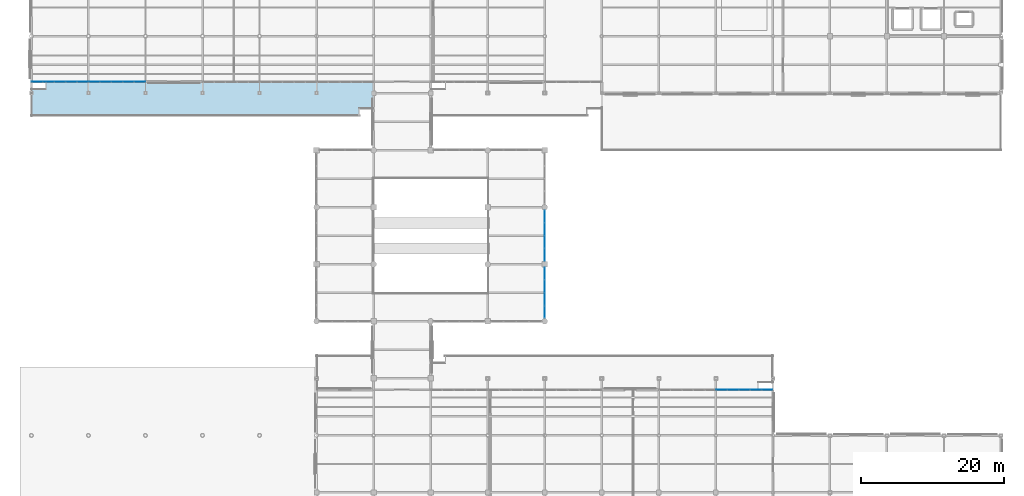
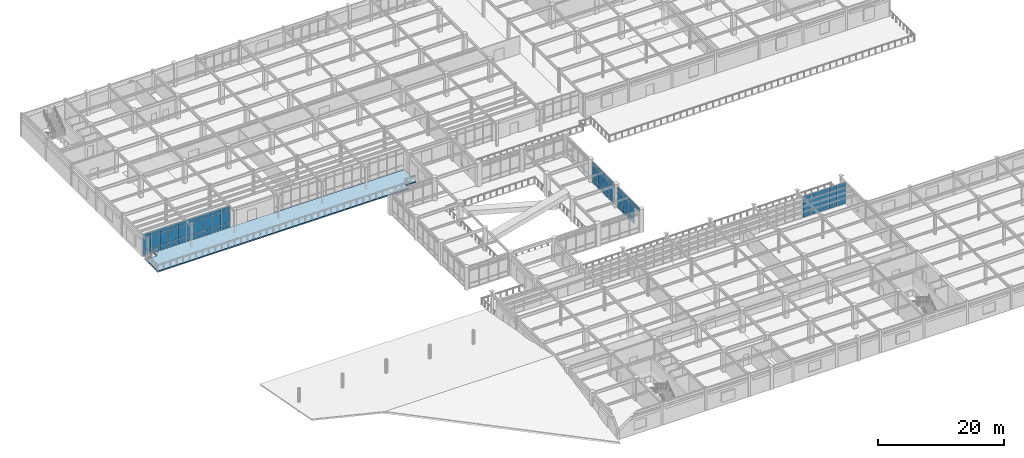
# One storey, part 76 of 111: 67 plates, 1 slab, 5 elements without a shape of their own.
"""IFC4 building model written with IfcOpenShell, lengths in metres."""

from ifc_helpers import new_model, si_unit, direction, frame, origin, origin_2d, place, context, subcontext, project, spatial, polyline, rectangle, outline, extrude, material, layer, layer_set, type_object, element, aggregate, save


model = new_model("IFC4")

# Units and contexts
model_context = context("Model", 3, precision=1e-05, world=origin(), true_north=direction((0.0, 1.0)))
body_context = subcontext(model_context, "Body", "Model", "MODEL_VIEW")
ifc_project = project(units=[si_unit("LENGTHUNIT", "METRE"), si_unit("AREAUNIT", "SQUARE_METRE"), si_unit("VOLUMEUNIT", "CUBIC_METRE"), si_unit("PLANEANGLEUNIT", "RADIAN"), si_unit("MASSUNIT", "GRAM", prefix="KILO")], contexts=[model_context])

# Site, building, storey
site_placement = place(None, origin())
site = spatial("IfcSite", under=ifc_project, at=site_placement, CompositionType="ELEMENT")
building_placement = place(site_placement, origin())
building = spatial("IfcBuilding", under=site, at=building_placement, Name="Solmirada Galleria", CompositionType="ELEMENT")
storey_placement = place(building_placement, frame((0.0, 0.0, 10.39990234375)))
storey = spatial("IfcBuildingStorey", under=building, at=storey_placement, Name="L02", CompositionType="ELEMENT", Elevation=10.39990234375)

# Curtain wall, plates
ifc_material_1 = material(Name="Impact-resistant low-E double glazing", Category="glass")
curtain_wall_type_1 = type_object("IfcCurtainWallType", Name="CW-FZ3-L02-B4-L072", PredefinedType="NOTDEFINED", material=ifc_material_1)
curtain_wall_1_placement = place(storey_placement, origin())
curtain_wall_1 = element("IfcCurtainWall", 1, at=curtain_wall_1_placement, inside=storey, type_object=curtain_wall_type_1, Name="Terrace and arcade storefront CW-L02-107", PredefinedType="NOTDEFINED")
ifc_layer_1 = layer(ifc_material_1, 0.028076171875)
ifc_layer_set_1 = layer_set([ifc_layer_1], Name="Impact-resistant low-E double glazing")
plate_type_1 = type_object("IfcPlateType", Name="CW-PNL-CW21-T28", PredefinedType="CURTAIN_PANEL", material=ifc_layer_set_1)
plate_1_placement = place(storey_placement, frame((112.0, 62.68212890625, 0.06494140625), z_axis=(0.0, 0.0, 1.0), x_axis=(0.0, -1.0, 0.0)))
plate_1 = element("IfcPlate", 2, at=plate_1_placement, type_object=plate_type_1, Name="CW21 panel 1.1", PredefinedType="CURTAIN_PANEL", context=body_context, shape_type="SweptSolid", body=[
    extrude(rectangle(XDim=1.701416015625, YDim=0.028076171875, at=origin_2d()), origin(), (0.0, 0.0, 1.0), 0.822509765625),
])
plate_2_placement = place(storey_placement, frame((112.0, 62.68212890625, 0.95263671875), z_axis=(0.0, 0.0, 1.0), x_axis=(0.0, -1.0, 0.0)))
plate_2 = element("IfcPlate", 3, at=plate_2_placement, type_object=plate_type_1, Name="CW21 panel 1.2", PredefinedType="CURTAIN_PANEL", context=body_context, shape_type="SweptSolid", body=[
    extrude(rectangle(XDim=1.701416015625, YDim=0.028076171875, at=origin_2d()), origin(), (0.0, 0.0, 1.0), 2.4150390625),
])
plate_3_placement = place(storey_placement, frame((112.0, 62.68212890625, 3.4326171875), z_axis=(0.0, 0.0, 1.0), x_axis=(0.0, -1.0, 0.0)))
plate_3 = element("IfcPlate", 4, at=plate_3_placement, type_object=plate_type_1, Name="CW21 panel 1.3", PredefinedType="CURTAIN_PANEL", context=body_context, shape_type="SweptSolid", body=[
    extrude(rectangle(XDim=1.701416015625, YDim=0.028076171875, at=origin_2d()), origin(), (0.0, 0.0, 1.0), 0.722412109375),
])
plate_4_placement = place(storey_placement, frame((112.0, 60.8994140625, 0.06494140625), z_axis=(0.0, 0.0, 1.0), x_axis=(0.0, -1.0, 0.0)))
plate_4 = element("IfcPlate", 5, at=plate_4_placement, type_object=plate_type_1, Name="CW21 panel 2.1", PredefinedType="CURTAIN_PANEL", context=body_context, shape_type="SweptSolid", body=[
    extrude(rectangle(XDim=1.73388671875, YDim=0.028076171875, at=origin_2d()), origin(), (0.0, 0.0, 1.0), 0.822509765625),
])
plate_5_placement = place(storey_placement, frame((112.0, 60.8994140625, 0.95263671875), z_axis=(0.0, 0.0, 1.0), x_axis=(0.0, -1.0, 0.0)))
plate_5 = element("IfcPlate", 6, at=plate_5_placement, type_object=plate_type_1, Name="CW21 panel 2.2", PredefinedType="CURTAIN_PANEL", context=body_context, shape_type="SweptSolid", body=[
    extrude(rectangle(XDim=1.73388671875, YDim=0.028076171875, at=origin_2d()), origin(), (0.0, 0.0, 1.0), 2.4150390625),
])
plate_6_placement = place(storey_placement, frame((112.0, 60.8994140625, 3.4326171875), z_axis=(0.0, 0.0, 1.0), x_axis=(0.0, -1.0, 0.0)))
plate_6 = element("IfcPlate", 7, at=plate_6_placement, type_object=plate_type_1, Name="CW21 panel 2.3", PredefinedType="CURTAIN_PANEL", context=body_context, shape_type="SweptSolid", body=[
    extrude(rectangle(XDim=1.73388671875, YDim=0.028076171875, at=origin_2d()), origin(), (0.0, 0.0, 1.0), 0.722412109375),
])
plate_7_placement = place(storey_placement, frame((112.0, 59.1005859375, 0.06494140625), z_axis=(0.0, 0.0, 1.0), x_axis=(0.0, -1.0, 0.0)))
plate_7 = element("IfcPlate", 8, at=plate_7_placement, type_object=plate_type_1, Name="CW21 panel 3.1", PredefinedType="CURTAIN_PANEL", context=body_context, shape_type="SweptSolid", body=[
    extrude(rectangle(XDim=1.73388671875, YDim=0.028076171875, at=origin_2d()), origin(), (0.0, 0.0, 1.0), 0.822509765625),
])
plate_8_placement = place(storey_placement, frame((112.0, 59.1005859375, 0.95263671875), z_axis=(0.0, 0.0, 1.0), x_axis=(0.0, -1.0, 0.0)))
plate_8 = element("IfcPlate", 9, at=plate_8_placement, type_object=plate_type_1, Name="CW21 panel 3.2", PredefinedType="CURTAIN_PANEL", context=body_context, shape_type="SweptSolid", body=[
    extrude(rectangle(XDim=1.73388671875, YDim=0.028076171875, at=origin_2d()), origin(), (0.0, 0.0, 1.0), 2.4150390625),
])
plate_9_placement = place(storey_placement, frame((112.0, 59.1005859375, 3.4326171875), z_axis=(0.0, 0.0, 1.0), x_axis=(0.0, -1.0, 0.0)))
plate_9 = element("IfcPlate", 10, at=plate_9_placement, type_object=plate_type_1, Name="CW21 panel 3.3", PredefinedType="CURTAIN_PANEL", context=body_context, shape_type="SweptSolid", body=[
    extrude(rectangle(XDim=1.73388671875, YDim=0.028076171875, at=origin_2d()), origin(), (0.0, 0.0, 1.0), 0.722412109375),
])
plate_10_placement = place(storey_placement, frame((112.0, 57.31787109375, 0.06494140625), z_axis=(0.0, 0.0, 1.0), x_axis=(0.0, -1.0, 0.0)))
plate_10 = element("IfcPlate", 11, at=plate_10_placement, type_object=plate_type_1, Name="CW21 panel 4.1", PredefinedType="CURTAIN_PANEL", context=body_context, shape_type="SweptSolid", body=[
    extrude(rectangle(XDim=1.701416015625, YDim=0.028076171875, at=origin_2d()), origin(), (0.0, 0.0, 1.0), 0.822509765625),
])
plate_11_placement = place(storey_placement, frame((112.0, 57.31787109375, 0.95263671875), z_axis=(0.0, 0.0, 1.0), x_axis=(0.0, -1.0, 0.0)))
plate_11 = element("IfcPlate", 12, at=plate_11_placement, type_object=plate_type_1, Name="CW21 panel 4.2", PredefinedType="CURTAIN_PANEL", context=body_context, shape_type="SweptSolid", body=[
    extrude(rectangle(XDim=1.701416015625, YDim=0.028076171875, at=origin_2d()), origin(), (0.0, 0.0, 1.0), 2.4150390625),
])
plate_12_placement = place(storey_placement, frame((112.0, 57.31787109375, 3.4326171875), z_axis=(0.0, 0.0, 1.0), x_axis=(0.0, -1.0, 0.0)))
plate_12 = element("IfcPlate", 13, at=plate_12_placement, type_object=plate_type_1, Name="CW21 panel 4.3", PredefinedType="CURTAIN_PANEL", context=body_context, shape_type="SweptSolid", body=[
    extrude(rectangle(XDim=1.701416015625, YDim=0.028076171875, at=origin_2d()), origin(), (0.0, 0.0, 1.0), 0.722412109375),
])
aggregate(curtain_wall_1, [plate_1, plate_2, plate_3, plate_4, plate_5, plate_6, plate_7, plate_8, plate_9, plate_10, plate_11, plate_12])

curtain_wall_2_placement = place(storey_placement, origin())
curtain_wall_2 = element("IfcCurtainWall", 14, at=curtain_wall_2_placement, inside=storey, type_object=curtain_wall_type_1, Name="Terrace and arcade storefront CW-L02-108", PredefinedType="NOTDEFINED")
plate_13_placement = place(storey_placement, frame((112.0, 54.68212890625, 0.06494140625), z_axis=(0.0, 0.0, 1.0), x_axis=(0.0, -1.0, 0.0)))
plate_13 = element("IfcPlate", 15, at=plate_13_placement, type_object=plate_type_1, Name="CW21 panel 1.1", PredefinedType="CURTAIN_PANEL", context=body_context, shape_type="SweptSolid", body=[
    extrude(rectangle(XDim=1.701416015625, YDim=0.028076171875, at=origin_2d()), origin(), (0.0, 0.0, 1.0), 0.822509765625),
])
plate_14_placement = place(storey_placement, frame((112.0, 54.68212890625, 0.95263671875), z_axis=(0.0, 0.0, 1.0), x_axis=(0.0, -1.0, 0.0)))
plate_14 = element("IfcPlate", 16, at=plate_14_placement, type_object=plate_type_1, Name="CW21 panel 1.2", PredefinedType="CURTAIN_PANEL", context=body_context, shape_type="SweptSolid", body=[
    extrude(rectangle(XDim=1.701416015625, YDim=0.028076171875, at=origin_2d()), origin(), (0.0, 0.0, 1.0), 2.4150390625),
])
plate_15_placement = place(storey_placement, frame((112.0, 54.68212890625, 3.4326171875), z_axis=(0.0, 0.0, 1.0), x_axis=(0.0, -1.0, 0.0)))
plate_15 = element("IfcPlate", 17, at=plate_15_placement, type_object=plate_type_1, Name="CW21 panel 1.3", PredefinedType="CURTAIN_PANEL", context=body_context, shape_type="SweptSolid", body=[
    extrude(rectangle(XDim=1.701416015625, YDim=0.028076171875, at=origin_2d()), origin(), (0.0, 0.0, 1.0), 0.722412109375),
])
plate_16_placement = place(storey_placement, frame((112.0, 52.8994140625, 0.06494140625), z_axis=(0.0, 0.0, 1.0), x_axis=(0.0, -1.0, 0.0)))
plate_16 = element("IfcPlate", 18, at=plate_16_placement, type_object=plate_type_1, Name="CW21 panel 2.1", PredefinedType="CURTAIN_PANEL", context=body_context, shape_type="SweptSolid", body=[
    extrude(rectangle(XDim=1.73388671875, YDim=0.028076171875, at=origin_2d()), origin(), (0.0, 0.0, 1.0), 0.822509765625),
])
plate_17_placement = place(storey_placement, frame((112.0, 52.8994140625, 0.95263671875), z_axis=(0.0, 0.0, 1.0), x_axis=(0.0, -1.0, 0.0)))
plate_17 = element("IfcPlate", 19, at=plate_17_placement, type_object=plate_type_1, Name="CW21 panel 2.2", PredefinedType="CURTAIN_PANEL", context=body_context, shape_type="SweptSolid", body=[
    extrude(rectangle(XDim=1.73388671875, YDim=0.028076171875, at=origin_2d()), origin(), (0.0, 0.0, 1.0), 2.4150390625),
])
plate_18_placement = place(storey_placement, frame((112.0, 52.8994140625, 3.4326171875), z_axis=(0.0, 0.0, 1.0), x_axis=(0.0, -1.0, 0.0)))
plate_18 = element("IfcPlate", 20, at=plate_18_placement, type_object=plate_type_1, Name="CW21 panel 2.3", PredefinedType="CURTAIN_PANEL", context=body_context, shape_type="SweptSolid", body=[
    extrude(rectangle(XDim=1.73388671875, YDim=0.028076171875, at=origin_2d()), origin(), (0.0, 0.0, 1.0), 0.722412109375),
])
plate_19_placement = place(storey_placement, frame((112.0, 51.1005859375, 0.06494140625), z_axis=(0.0, 0.0, 1.0), x_axis=(0.0, -1.0, 0.0)))
plate_19 = element("IfcPlate", 21, at=plate_19_placement, type_object=plate_type_1, Name="CW21 panel 3.1", PredefinedType="CURTAIN_PANEL", context=body_context, shape_type="SweptSolid", body=[
    extrude(rectangle(XDim=1.73388671875, YDim=0.028076171875, at=origin_2d()), origin(), (0.0, 0.0, 1.0), 0.822509765625),
])
plate_20_placement = place(storey_placement, frame((112.0, 51.1005859375, 0.95263671875), z_axis=(0.0, 0.0, 1.0), x_axis=(0.0, -1.0, 0.0)))
plate_20 = element("IfcPlate", 22, at=plate_20_placement, type_object=plate_type_1, Name="CW21 panel 3.2", PredefinedType="CURTAIN_PANEL", context=body_context, shape_type="SweptSolid", body=[
    extrude(rectangle(XDim=1.73388671875, YDim=0.028076171875, at=origin_2d()), origin(), (0.0, 0.0, 1.0), 2.4150390625),
])
plate_21_placement = place(storey_placement, frame((112.0, 51.1005859375, 3.4326171875), z_axis=(0.0, 0.0, 1.0), x_axis=(0.0, -1.0, 0.0)))
plate_21 = element("IfcPlate", 23, at=plate_21_placement, type_object=plate_type_1, Name="CW21 panel 3.3", PredefinedType="CURTAIN_PANEL", context=body_context, shape_type="SweptSolid", body=[
    extrude(rectangle(XDim=1.73388671875, YDim=0.028076171875, at=origin_2d()), origin(), (0.0, 0.0, 1.0), 0.722412109375),
])
plate_22_placement = place(storey_placement, frame((112.0, 49.31787109375, 3.4326171875), z_axis=(0.0, 0.0, 1.0), x_axis=(0.0, -1.0, 0.0)))
plate_22 = element("IfcPlate", 24, at=plate_22_placement, type_object=plate_type_1, Name="CW21 panel 4.3", PredefinedType="CURTAIN_PANEL", context=body_context, shape_type="SweptSolid", body=[
    extrude(rectangle(XDim=1.701416015625, YDim=0.028076171875, at=origin_2d()), origin(), (0.0, 0.0, 1.0), 0.722412109375),
])
aggregate(curtain_wall_2, [plate_13, plate_14, plate_15, plate_16, plate_17, plate_18, plate_19, plate_20, plate_21, plate_22])

curtain_wall_type_2 = type_object("IfcCurtainWallType", Name="CW-FZ4-L02-B5-L080", PredefinedType="NOTDEFINED", material=ifc_material_1)
curtain_wall_3_placement = place(storey_placement, origin())
curtain_wall_3 = element("IfcCurtainWall", 25, at=curtain_wall_3_placement, inside=storey, type_object=curtain_wall_type_2, Name="Terrace and arcade storefront CW-L02-091", PredefinedType="NOTDEFINED")
ifc_material_2 = material(Name="Ceramic-fritted spandrel glass", Category="glass")
ifc_layer_2 = layer(ifc_material_2, 0.035888671875)
ifc_layer_set_2 = layer_set([ifc_layer_2], Name="Ceramic-fritted spandrel glass")
plate_type_2 = type_object("IfcPlateType", Name="CW-PNL-CW22-T36", PredefinedType="CURTAIN_PANEL", material=ifc_layer_set_2)
plate_23_placement = place(storey_placement, frame((55.183837890625, 81.60009765625, 0.06494140625), z_axis=(0.0, 0.0, 1.0), x_axis=(-1.0, 0.0, 0.0)))
plate_23 = element("IfcPlate", 26, at=plate_23_placement, type_object=plate_type_2, Name="CW22 panel 1.1", PredefinedType="CURTAIN_PANEL", context=body_context, shape_type="SweptSolid", body=[
    extrude(rectangle(XDim=1.50244140625, YDim=0.035888671875, at=origin_2d()), origin(), (0.0, 0.0, 1.0), 0.882568359375),
])
plate_24_placement = place(storey_placement, frame((55.183837890625, 81.60009765625, 1.0126953125), z_axis=(0.0, 0.0, 1.0), x_axis=(-1.0, 0.0, 0.0)))
plate_24 = element("IfcPlate", 27, at=plate_24_placement, type_object=plate_type_2, Name="CW22 panel 1.2", PredefinedType="CURTAIN_PANEL", context=body_context, shape_type="SweptSolid", body=[
    extrude(rectangle(XDim=1.50244140625, YDim=0.035888671875, at=origin_2d()), origin(), (0.0, 0.0, 1.0), 2.304931640625),
])
plate_25_placement = place(storey_placement, frame((55.183837890625, 81.60009765625, 3.382568359375), z_axis=(0.0, 0.0, 1.0), x_axis=(-1.0, 0.0, 0.0)))
plate_25 = element("IfcPlate", 28, at=plate_25_placement, type_object=plate_type_2, Name="CW22 panel 1.3", PredefinedType="CURTAIN_PANEL", context=body_context, shape_type="SweptSolid", body=[
    extrude(rectangle(XDim=1.50244140625, YDim=0.035888671875, at=origin_2d()), origin(), (0.0, 0.0, 1.0), 0.7724609375),
])
plate_26_placement = place(storey_placement, frame((53.60009765625, 81.60009765625, 0.06494140625), z_axis=(0.0, 0.0, 1.0), x_axis=(-1.0, 0.0, 0.0)))
plate_26 = element("IfcPlate", 29, at=plate_26_placement, type_object=plate_type_2, Name="CW22 panel 2.1", PredefinedType="CURTAIN_PANEL", context=body_context, shape_type="SweptSolid", body=[
    extrude(rectangle(XDim=1.534912109375, YDim=0.035888671875, at=origin_2d()), origin(), (0.0, 0.0, 1.0), 0.882568359375),
])
plate_27_placement = place(storey_placement, frame((53.60009765625, 81.60009765625, 1.0126953125), z_axis=(0.0, 0.0, 1.0), x_axis=(-1.0, 0.0, 0.0)))
plate_27 = element("IfcPlate", 30, at=plate_27_placement, type_object=plate_type_2, Name="CW22 panel 2.2", PredefinedType="CURTAIN_PANEL", context=body_context, shape_type="SweptSolid", body=[
    extrude(rectangle(XDim=1.534912109375, YDim=0.035888671875, at=origin_2d()), origin(), (0.0, 0.0, 1.0), 2.304931640625),
])
plate_28_placement = place(storey_placement, frame((53.60009765625, 81.60009765625, 3.382568359375), z_axis=(0.0, 0.0, 1.0), x_axis=(-1.0, 0.0, 0.0)))
plate_28 = element("IfcPlate", 31, at=plate_28_placement, type_object=plate_type_2, Name="CW22 panel 2.3", PredefinedType="CURTAIN_PANEL", context=body_context, shape_type="SweptSolid", body=[
    extrude(rectangle(XDim=1.534912109375, YDim=0.035888671875, at=origin_2d()), origin(), (0.0, 0.0, 1.0), 0.7724609375),
])
plate_29_placement = place(storey_placement, frame((52.0, 81.60009765625, 0.06494140625), z_axis=(0.0, 0.0, 1.0), x_axis=(-1.0, 0.0, 0.0)))
plate_29 = element("IfcPlate", 32, at=plate_29_placement, type_object=plate_type_2, Name="CW22 panel 3.1", PredefinedType="CURTAIN_PANEL", context=body_context, shape_type="SweptSolid", body=[
    extrude(rectangle(XDim=1.534912109375, YDim=0.035888671875, at=origin_2d()), origin(), (0.0, 0.0, 1.0), 0.882568359375),
])
plate_30_placement = place(storey_placement, frame((52.0, 81.60009765625, 1.0126953125), z_axis=(0.0, 0.0, 1.0), x_axis=(-1.0, 0.0, 0.0)))
plate_30 = element("IfcPlate", 33, at=plate_30_placement, type_object=plate_type_2, Name="CW22 panel 3.2", PredefinedType="CURTAIN_PANEL", context=body_context, shape_type="SweptSolid", body=[
    extrude(rectangle(XDim=1.534912109375, YDim=0.035888671875, at=origin_2d()), origin(), (0.0, 0.0, 1.0), 2.304931640625),
])
plate_31_placement = place(storey_placement, frame((52.0, 81.60009765625, 3.382568359375), z_axis=(0.0, 0.0, 1.0), x_axis=(-1.0, 0.0, 0.0)))
plate_31 = element("IfcPlate", 34, at=plate_31_placement, type_object=plate_type_2, Name="CW22 panel 3.3", PredefinedType="CURTAIN_PANEL", context=body_context, shape_type="SweptSolid", body=[
    extrude(rectangle(XDim=1.534912109375, YDim=0.035888671875, at=origin_2d()), origin(), (0.0, 0.0, 1.0), 0.7724609375),
])
plate_32_placement = place(storey_placement, frame((50.39990234375, 81.60009765625, 0.06494140625), z_axis=(0.0, 0.0, 1.0), x_axis=(-1.0, 0.0, 0.0)))
plate_32 = element("IfcPlate", 35, at=plate_32_placement, type_object=plate_type_2, Name="CW22 panel 4.1", PredefinedType="CURTAIN_PANEL", context=body_context, shape_type="SweptSolid", body=[
    extrude(rectangle(XDim=1.534912109375, YDim=0.035888671875, at=origin_2d()), origin(), (0.0, 0.0, 1.0), 0.882568359375),
])
plate_33_placement = place(storey_placement, frame((50.39990234375, 81.60009765625, 1.0126953125), z_axis=(0.0, 0.0, 1.0), x_axis=(-1.0, 0.0, 0.0)))
plate_33 = element("IfcPlate", 36, at=plate_33_placement, type_object=plate_type_2, Name="CW22 panel 4.2", PredefinedType="CURTAIN_PANEL", context=body_context, shape_type="SweptSolid", body=[
    extrude(rectangle(XDim=1.534912109375, YDim=0.035888671875, at=origin_2d()), origin(), (0.0, 0.0, 1.0), 2.304931640625),
])
plate_34_placement = place(storey_placement, frame((50.39990234375, 81.60009765625, 3.382568359375), z_axis=(0.0, 0.0, 1.0), x_axis=(-1.0, 0.0, 0.0)))
plate_34 = element("IfcPlate", 37, at=plate_34_placement, type_object=plate_type_2, Name="CW22 panel 4.3", PredefinedType="CURTAIN_PANEL", context=body_context, shape_type="SweptSolid", body=[
    extrude(rectangle(XDim=1.534912109375, YDim=0.035888671875, at=origin_2d()), origin(), (0.0, 0.0, 1.0), 0.7724609375),
])
plate_35_placement = place(storey_placement, frame((48.816162109375, 81.60009765625, 0.06494140625), z_axis=(0.0, 0.0, 1.0), x_axis=(-1.0, 0.0, 0.0)))
plate_35 = element("IfcPlate", 38, at=plate_35_placement, type_object=plate_type_2, Name="CW22 panel 5.1", PredefinedType="CURTAIN_PANEL", context=body_context, shape_type="SweptSolid", body=[
    extrude(rectangle(XDim=1.50244140625, YDim=0.035888671875, at=origin_2d()), origin(), (0.0, 0.0, 1.0), 0.882568359375),
])
plate_36_placement = place(storey_placement, frame((48.816162109375, 81.60009765625, 1.0126953125), z_axis=(0.0, 0.0, 1.0), x_axis=(-1.0, 0.0, 0.0)))
plate_36 = element("IfcPlate", 39, at=plate_36_placement, type_object=plate_type_2, Name="CW22 panel 5.2", PredefinedType="CURTAIN_PANEL", context=body_context, shape_type="SweptSolid", body=[
    extrude(rectangle(XDim=1.50244140625, YDim=0.035888671875, at=origin_2d()), origin(), (0.0, 0.0, 1.0), 2.304931640625),
])
plate_37_placement = place(storey_placement, frame((48.816162109375, 81.60009765625, 3.382568359375), z_axis=(0.0, 0.0, 1.0), x_axis=(-1.0, 0.0, 0.0)))
plate_37 = element("IfcPlate", 40, at=plate_37_placement, type_object=plate_type_2, Name="CW22 panel 5.3", PredefinedType="CURTAIN_PANEL", context=body_context, shape_type="SweptSolid", body=[
    extrude(rectangle(XDim=1.50244140625, YDim=0.035888671875, at=origin_2d()), origin(), (0.0, 0.0, 1.0), 0.7724609375),
])
aggregate(curtain_wall_3, [plate_23, plate_24, plate_25, plate_26, plate_27, plate_28, plate_29, plate_30, plate_31, plate_32, plate_33, plate_34, plate_35, plate_36, plate_37])

curtain_wall_4_placement = place(storey_placement, origin())
curtain_wall_4 = element("IfcCurtainWall", 41, at=curtain_wall_4_placement, inside=storey, type_object=curtain_wall_type_2, Name="Terrace and arcade storefront CW-L02-092", PredefinedType="NOTDEFINED")
plate_38_placement = place(storey_placement, frame((47.183837890625, 81.60009765625, 0.06494140625), z_axis=(0.0, 0.0, 1.0), x_axis=(-1.0, 0.0, 0.0)))
plate_38 = element("IfcPlate", 42, at=plate_38_placement, type_object=plate_type_2, Name="CW22 panel 1.1", PredefinedType="CURTAIN_PANEL", context=body_context, shape_type="SweptSolid", body=[
    extrude(rectangle(XDim=1.50244140625, YDim=0.035888671875, at=origin_2d()), origin(), (0.0, 0.0, 1.0), 0.882568359375),
])
plate_39_placement = place(storey_placement, frame((47.183837890625, 81.60009765625, 1.0126953125), z_axis=(0.0, 0.0, 1.0), x_axis=(-1.0, 0.0, 0.0)))
plate_39 = element("IfcPlate", 43, at=plate_39_placement, type_object=plate_type_2, Name="CW22 panel 1.2", PredefinedType="CURTAIN_PANEL", context=body_context, shape_type="SweptSolid", body=[
    extrude(rectangle(XDim=1.50244140625, YDim=0.035888671875, at=origin_2d()), origin(), (0.0, 0.0, 1.0), 2.304931640625),
])
plate_40_placement = place(storey_placement, frame((47.183837890625, 81.60009765625, 3.382568359375), z_axis=(0.0, 0.0, 1.0), x_axis=(-1.0, 0.0, 0.0)))
plate_40 = element("IfcPlate", 44, at=plate_40_placement, type_object=plate_type_2, Name="CW22 panel 1.3", PredefinedType="CURTAIN_PANEL", context=body_context, shape_type="SweptSolid", body=[
    extrude(rectangle(XDim=1.50244140625, YDim=0.035888671875, at=origin_2d()), origin(), (0.0, 0.0, 1.0), 0.7724609375),
])
plate_41_placement = place(storey_placement, frame((45.60009765625, 81.60009765625, 0.06494140625), z_axis=(0.0, 0.0, 1.0), x_axis=(-1.0, 0.0, 0.0)))
plate_41 = element("IfcPlate", 45, at=plate_41_placement, type_object=plate_type_2, Name="CW22 panel 2.1", PredefinedType="CURTAIN_PANEL", context=body_context, shape_type="SweptSolid", body=[
    extrude(rectangle(XDim=1.534912109375, YDim=0.035888671875, at=origin_2d()), origin(), (0.0, 0.0, 1.0), 0.882568359375),
])
plate_42_placement = place(storey_placement, frame((45.60009765625, 81.60009765625, 1.0126953125), z_axis=(0.0, 0.0, 1.0), x_axis=(-1.0, 0.0, 0.0)))
plate_42 = element("IfcPlate", 46, at=plate_42_placement, type_object=plate_type_2, Name="CW22 panel 2.2", PredefinedType="CURTAIN_PANEL", context=body_context, shape_type="SweptSolid", body=[
    extrude(rectangle(XDim=1.534912109375, YDim=0.035888671875, at=origin_2d()), origin(), (0.0, 0.0, 1.0), 2.304931640625),
])
plate_43_placement = place(storey_placement, frame((45.60009765625, 81.60009765625, 3.382568359375), z_axis=(0.0, 0.0, 1.0), x_axis=(-1.0, 0.0, 0.0)))
plate_43 = element("IfcPlate", 47, at=plate_43_placement, type_object=plate_type_2, Name="CW22 panel 2.3", PredefinedType="CURTAIN_PANEL", context=body_context, shape_type="SweptSolid", body=[
    extrude(rectangle(XDim=1.534912109375, YDim=0.035888671875, at=origin_2d()), origin(), (0.0, 0.0, 1.0), 0.7724609375),
])
plate_44_placement = place(storey_placement, frame((44.0, 81.60009765625, 0.06494140625), z_axis=(0.0, 0.0, 1.0), x_axis=(-1.0, 0.0, 0.0)))
plate_44 = element("IfcPlate", 48, at=plate_44_placement, type_object=plate_type_2, Name="CW22 panel 3.1", PredefinedType="CURTAIN_PANEL", context=body_context, shape_type="SweptSolid", body=[
    extrude(rectangle(XDim=1.534912109375, YDim=0.035888671875, at=origin_2d()), origin(), (0.0, 0.0, 1.0), 0.882568359375),
])
plate_45_placement = place(storey_placement, frame((44.0, 81.60009765625, 1.0126953125), z_axis=(0.0, 0.0, 1.0), x_axis=(-1.0, 0.0, 0.0)))
plate_45 = element("IfcPlate", 49, at=plate_45_placement, type_object=plate_type_2, Name="CW22 panel 3.2", PredefinedType="CURTAIN_PANEL", context=body_context, shape_type="SweptSolid", body=[
    extrude(rectangle(XDim=1.534912109375, YDim=0.035888671875, at=origin_2d()), origin(), (0.0, 0.0, 1.0), 2.304931640625),
])
plate_46_placement = place(storey_placement, frame((44.0, 81.60009765625, 3.382568359375), z_axis=(0.0, 0.0, 1.0), x_axis=(-1.0, 0.0, 0.0)))
plate_46 = element("IfcPlate", 50, at=plate_46_placement, type_object=plate_type_2, Name="CW22 panel 3.3", PredefinedType="CURTAIN_PANEL", context=body_context, shape_type="SweptSolid", body=[
    extrude(rectangle(XDim=1.534912109375, YDim=0.035888671875, at=origin_2d()), origin(), (0.0, 0.0, 1.0), 0.7724609375),
])
plate_47_placement = place(storey_placement, frame((42.39990234375, 81.60009765625, 0.06494140625), z_axis=(0.0, 0.0, 1.0), x_axis=(-1.0, 0.0, 0.0)))
plate_47 = element("IfcPlate", 51, at=plate_47_placement, type_object=plate_type_2, Name="CW22 panel 4.1", PredefinedType="CURTAIN_PANEL", context=body_context, shape_type="SweptSolid", body=[
    extrude(rectangle(XDim=1.534912109375, YDim=0.035888671875, at=origin_2d()), origin(), (0.0, 0.0, 1.0), 0.882568359375),
])
plate_48_placement = place(storey_placement, frame((42.39990234375, 81.60009765625, 1.0126953125), z_axis=(0.0, 0.0, 1.0), x_axis=(-1.0, 0.0, 0.0)))
plate_48 = element("IfcPlate", 52, at=plate_48_placement, type_object=plate_type_2, Name="CW22 panel 4.2", PredefinedType="CURTAIN_PANEL", context=body_context, shape_type="SweptSolid", body=[
    extrude(rectangle(XDim=1.534912109375, YDim=0.035888671875, at=origin_2d()), origin(), (0.0, 0.0, 1.0), 2.304931640625),
])
plate_49_placement = place(storey_placement, frame((42.39990234375, 81.60009765625, 3.382568359375), z_axis=(0.0, 0.0, 1.0), x_axis=(-1.0, 0.0, 0.0)))
plate_49 = element("IfcPlate", 53, at=plate_49_placement, type_object=plate_type_2, Name="CW22 panel 4.3", PredefinedType="CURTAIN_PANEL", context=body_context, shape_type="SweptSolid", body=[
    extrude(rectangle(XDim=1.534912109375, YDim=0.035888671875, at=origin_2d()), origin(), (0.0, 0.0, 1.0), 0.7724609375),
])
plate_50_placement = place(storey_placement, frame((40.816162109375, 81.60009765625, 0.06494140625), z_axis=(0.0, 0.0, 1.0), x_axis=(-1.0, 0.0, 0.0)))
plate_50 = element("IfcPlate", 54, at=plate_50_placement, type_object=plate_type_2, Name="CW22 panel 5.1", PredefinedType="CURTAIN_PANEL", context=body_context, shape_type="SweptSolid", body=[
    extrude(rectangle(XDim=1.50244140625, YDim=0.035888671875, at=origin_2d()), origin(), (0.0, 0.0, 1.0), 0.882568359375),
])
plate_51_placement = place(storey_placement, frame((40.816162109375, 81.60009765625, 1.0126953125), z_axis=(0.0, 0.0, 1.0), x_axis=(-1.0, 0.0, 0.0)))
plate_51 = element("IfcPlate", 55, at=plate_51_placement, type_object=plate_type_2, Name="CW22 panel 5.2", PredefinedType="CURTAIN_PANEL", context=body_context, shape_type="SweptSolid", body=[
    extrude(rectangle(XDim=1.50244140625, YDim=0.035888671875, at=origin_2d()), origin(), (0.0, 0.0, 1.0), 2.304931640625),
])
plate_52_placement = place(storey_placement, frame((40.816162109375, 81.60009765625, 3.382568359375), z_axis=(0.0, 0.0, 1.0), x_axis=(-1.0, 0.0, 0.0)))
plate_52 = element("IfcPlate", 56, at=plate_52_placement, type_object=plate_type_2, Name="CW22 panel 5.3", PredefinedType="CURTAIN_PANEL", context=body_context, shape_type="SweptSolid", body=[
    extrude(rectangle(XDim=1.50244140625, YDim=0.035888671875, at=origin_2d()), origin(), (0.0, 0.0, 1.0), 0.7724609375),
])
aggregate(curtain_wall_4, [plate_38, plate_39, plate_40, plate_41, plate_42, plate_43, plate_44, plate_45, plate_46, plate_47, plate_48, plate_49, plate_50, plate_51, plate_52])

curtain_wall_type_3 = type_object("IfcCurtainWallType", Name="CW-FZ5-L02-B5-L080", PredefinedType="NOTDEFINED", material=ifc_material_1)
curtain_wall_5_placement = place(storey_placement, origin())
curtain_wall_5 = element("IfcCurtainWall", 57, at=curtain_wall_5_placement, inside=storey, type_object=curtain_wall_type_3, Name="Terrace and arcade storefront CW-L02-115", PredefinedType="NOTDEFINED")
ifc_layer_3 = layer(ifc_material_2, 0.02392578125)
ifc_layer_set_3 = layer_set([ifc_layer_3], Name="Ceramic-fritted spandrel glass")
plate_type_3 = type_object("IfcPlateType", Name="CW-PNL-CW25-T24", PredefinedType="CURTAIN_PANEL", material=ifc_layer_set_3)
plate_53_placement = place(storey_placement, frame((136.816162109375, 38.39990234375, 0.065185546875), z_axis=(0.0, 0.0, 1.0), x_axis=(1.0, 0.0, 0.0)))
plate_53 = element("IfcPlate", 58, at=plate_53_placement, type_object=plate_type_3, Name="CW25 panel 1.1", PredefinedType="CURTAIN_PANEL", context=body_context, shape_type="SweptSolid", body=[
    extrude(rectangle(XDim=1.50244140625, YDim=0.02392578125, at=origin_2d()), origin(), (0.0, 0.0, 1.0), 0.9423828125),
])
plate_54_placement = place(storey_placement, frame((136.816162109375, 38.39990234375, 1.07275390625), z_axis=(0.0, 0.0, 1.0), x_axis=(1.0, 0.0, 0.0)))
plate_54 = element("IfcPlate", 59, at=plate_54_placement, type_object=plate_type_3, Name="CW25 panel 1.2", PredefinedType="CURTAIN_PANEL", context=body_context, shape_type="SweptSolid", body=[
    extrude(rectangle(XDim=1.50244140625, YDim=0.02392578125, at=origin_2d()), origin(), (0.0, 0.0, 1.0), 2.195068359375),
])
plate_55_placement = place(storey_placement, frame((136.816162109375, 38.39990234375, 3.33251953125), z_axis=(0.0, 0.0, 1.0), x_axis=(1.0, 0.0, 0.0)))
plate_55 = element("IfcPlate", 60, at=plate_55_placement, type_object=plate_type_3, Name="CW25 panel 1.3", PredefinedType="CURTAIN_PANEL", context=body_context, shape_type="SweptSolid", body=[
    extrude(rectangle(XDim=1.50244140625, YDim=0.02392578125, at=origin_2d()), origin(), (0.0, 0.0, 1.0), 0.822509765625),
])
plate_56_placement = place(storey_placement, frame((138.39990234375, 38.39990234375, 0.065185546875), z_axis=(0.0, 0.0, 1.0), x_axis=(1.0, 0.0, 0.0)))
plate_56 = element("IfcPlate", 61, at=plate_56_placement, type_object=plate_type_3, Name="CW25 panel 2.1", PredefinedType="CURTAIN_PANEL", context=body_context, shape_type="SweptSolid", body=[
    extrude(rectangle(XDim=1.534912109375, YDim=0.02392578125, at=origin_2d()), origin(), (0.0, 0.0, 1.0), 0.9423828125),
])
plate_57_placement = place(storey_placement, frame((138.39990234375, 38.39990234375, 1.07275390625), z_axis=(0.0, 0.0, 1.0), x_axis=(1.0, 0.0, 0.0)))
plate_57 = element("IfcPlate", 62, at=plate_57_placement, type_object=plate_type_3, Name="CW25 panel 2.2", PredefinedType="CURTAIN_PANEL", context=body_context, shape_type="SweptSolid", body=[
    extrude(rectangle(XDim=1.534912109375, YDim=0.02392578125, at=origin_2d()), origin(), (0.0, 0.0, 1.0), 2.195068359375),
])
plate_58_placement = place(storey_placement, frame((138.39990234375, 38.39990234375, 3.33251953125), z_axis=(0.0, 0.0, 1.0), x_axis=(1.0, 0.0, 0.0)))
plate_58 = element("IfcPlate", 63, at=plate_58_placement, type_object=plate_type_3, Name="CW25 panel 2.3", PredefinedType="CURTAIN_PANEL", context=body_context, shape_type="SweptSolid", body=[
    extrude(rectangle(XDim=1.534912109375, YDim=0.02392578125, at=origin_2d()), origin(), (0.0, 0.0, 1.0), 0.822509765625),
])
plate_59_placement = place(storey_placement, frame((140.0, 38.39990234375, 0.065185546875), z_axis=(0.0, 0.0, 1.0), x_axis=(1.0, 0.0, 0.0)))
plate_59 = element("IfcPlate", 64, at=plate_59_placement, type_object=plate_type_3, Name="CW25 panel 3.1", PredefinedType="CURTAIN_PANEL", context=body_context, shape_type="SweptSolid", body=[
    extrude(rectangle(XDim=1.534912109375, YDim=0.02392578125, at=origin_2d()), origin(), (0.0, 0.0, 1.0), 0.9423828125),
])
plate_60_placement = place(storey_placement, frame((140.0, 38.39990234375, 1.07275390625), z_axis=(0.0, 0.0, 1.0), x_axis=(1.0, 0.0, 0.0)))
plate_60 = element("IfcPlate", 65, at=plate_60_placement, type_object=plate_type_3, Name="CW25 panel 3.2", PredefinedType="CURTAIN_PANEL", context=body_context, shape_type="SweptSolid", body=[
    extrude(rectangle(XDim=1.534912109375, YDim=0.02392578125, at=origin_2d()), origin(), (0.0, 0.0, 1.0), 2.195068359375),
])
plate_61_placement = place(storey_placement, frame((140.0, 38.39990234375, 3.33251953125), z_axis=(0.0, 0.0, 1.0), x_axis=(1.0, 0.0, 0.0)))
plate_61 = element("IfcPlate", 66, at=plate_61_placement, type_object=plate_type_3, Name="CW25 panel 3.3", PredefinedType="CURTAIN_PANEL", context=body_context, shape_type="SweptSolid", body=[
    extrude(rectangle(XDim=1.534912109375, YDim=0.02392578125, at=origin_2d()), origin(), (0.0, 0.0, 1.0), 0.822509765625),
])
plate_62_placement = place(storey_placement, frame((141.60009765625, 38.39990234375, 0.065185546875), z_axis=(0.0, 0.0, 1.0), x_axis=(1.0, 0.0, 0.0)))
plate_62 = element("IfcPlate", 67, at=plate_62_placement, type_object=plate_type_3, Name="CW25 panel 4.1", PredefinedType="CURTAIN_PANEL", context=body_context, shape_type="SweptSolid", body=[
    extrude(rectangle(XDim=1.534912109375, YDim=0.02392578125, at=origin_2d()), origin(), (0.0, 0.0, 1.0), 0.9423828125),
])
plate_63_placement = place(storey_placement, frame((141.60009765625, 38.39990234375, 1.07275390625), z_axis=(0.0, 0.0, 1.0), x_axis=(1.0, 0.0, 0.0)))
plate_63 = element("IfcPlate", 68, at=plate_63_placement, type_object=plate_type_3, Name="CW25 panel 4.2", PredefinedType="CURTAIN_PANEL", context=body_context, shape_type="SweptSolid", body=[
    extrude(rectangle(XDim=1.534912109375, YDim=0.02392578125, at=origin_2d()), origin(), (0.0, 0.0, 1.0), 2.195068359375),
])
plate_64_placement = place(storey_placement, frame((141.60009765625, 38.39990234375, 3.33251953125), z_axis=(0.0, 0.0, 1.0), x_axis=(1.0, 0.0, 0.0)))
plate_64 = element("IfcPlate", 69, at=plate_64_placement, type_object=plate_type_3, Name="CW25 panel 4.3", PredefinedType="CURTAIN_PANEL", context=body_context, shape_type="SweptSolid", body=[
    extrude(rectangle(XDim=1.534912109375, YDim=0.02392578125, at=origin_2d()), origin(), (0.0, 0.0, 1.0), 0.822509765625),
])
plate_65_placement = place(storey_placement, frame((143.183837890625, 38.39990234375, 0.065185546875), z_axis=(0.0, 0.0, 1.0), x_axis=(1.0, 0.0, 0.0)))
plate_65 = element("IfcPlate", 70, at=plate_65_placement, type_object=plate_type_3, Name="CW25 panel 5.1", PredefinedType="CURTAIN_PANEL", context=body_context, shape_type="SweptSolid", body=[
    extrude(rectangle(XDim=1.50244140625, YDim=0.02392578125, at=origin_2d()), origin(), (0.0, 0.0, 1.0), 0.9423828125),
])
plate_66_placement = place(storey_placement, frame((143.183837890625, 38.39990234375, 1.07275390625), z_axis=(0.0, 0.0, 1.0), x_axis=(1.0, 0.0, 0.0)))
plate_66 = element("IfcPlate", 71, at=plate_66_placement, type_object=plate_type_3, Name="CW25 panel 5.2", PredefinedType="CURTAIN_PANEL", context=body_context, shape_type="SweptSolid", body=[
    extrude(rectangle(XDim=1.50244140625, YDim=0.02392578125, at=origin_2d()), origin(), (0.0, 0.0, 1.0), 2.195068359375),
])
plate_67_placement = place(storey_placement, frame((143.183837890625, 38.39990234375, 3.33251953125), z_axis=(0.0, 0.0, 1.0), x_axis=(1.0, 0.0, 0.0)))
plate_67 = element("IfcPlate", 72, at=plate_67_placement, type_object=plate_type_3, Name="CW25 panel 5.3", PredefinedType="CURTAIN_PANEL", context=body_context, shape_type="SweptSolid", body=[
    extrude(rectangle(XDim=1.50244140625, YDim=0.02392578125, at=origin_2d()), origin(), (0.0, 0.0, 1.0), 0.822509765625),
])
aggregate(curtain_wall_5, [plate_53, plate_54, plate_55, plate_56, plate_57, plate_58, plate_59, plate_60, plate_61, plate_62, plate_63, plate_64, plate_65, plate_66, plate_67])

# Slab
ifc_material_3 = material(Name="Concrete C35/45", Category="concrete")
ifc_layer_4 = layer(ifc_material_3, 0.239990234375)
ifc_layer_set_4 = layer_set([ifc_layer_4], Name="Concrete C35/45")
slab_type = type_object("IfcSlabType", Name="SLB-TERR-240", PredefinedType="FLOOR", material=ifc_layer_set_4)
slab_placement = place(storey_placement, frame((0.0, 0.0, -0.239990234375)))
element("IfcSlab", 73, at=slab_placement, inside=storey, type_object=slab_type, Name="Slab L02-TERR-NW", PredefinedType="FLOOR", context=body_context, shape_type="SweptSolid", body=[
    extrude(outline(polyline([(40.0, 76.800048828125), (86.0, 76.800048828125), (86.0, 77.800048828125), (88.0, 77.800048828125), (88.0, 81.60009765625), (42.0, 81.60009765625), (42.0, 80.60009765625), (40.0, 80.60009765625), (40.0, 76.800048828125)])), origin(), (0.0, 0.0, 1.0), 0.239990234375),
])

save(model, "model.ifc")
